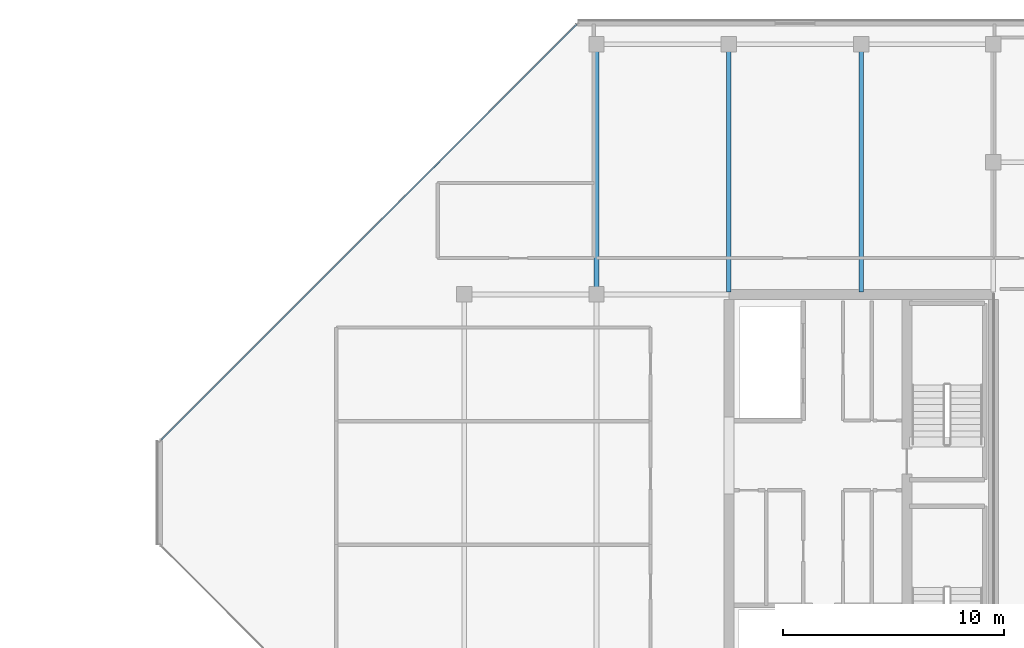
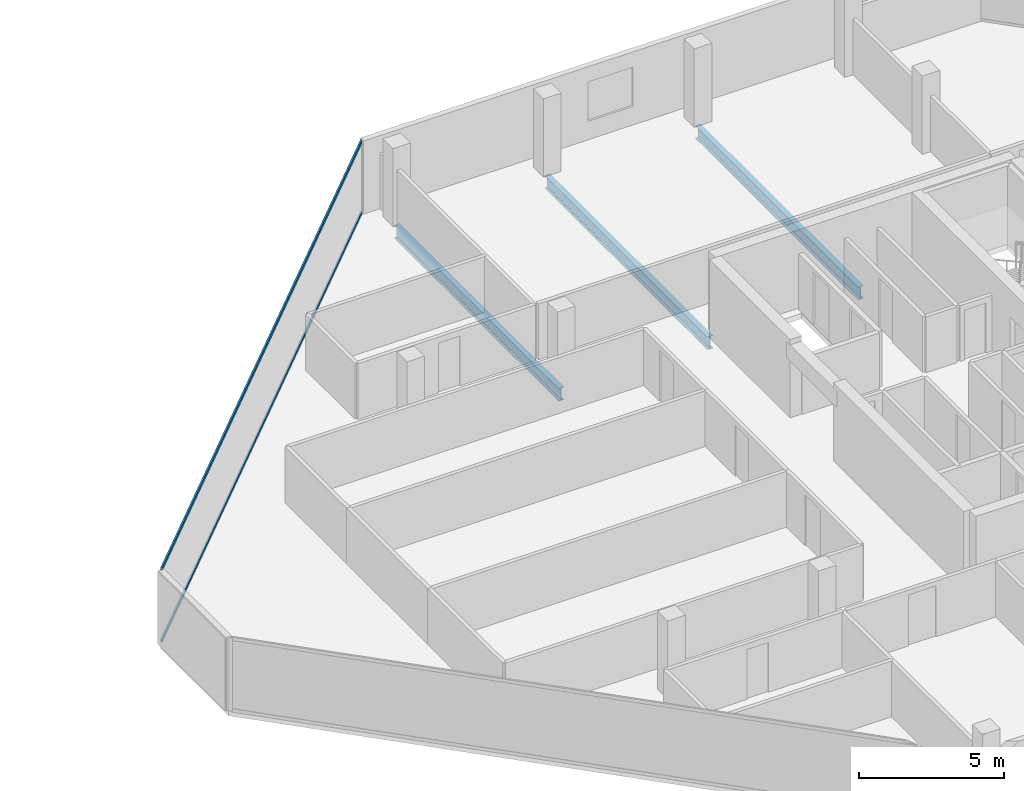
# One storey, part 13 of 29: 3 beams, 2 members, 1 element without a shape of its own.
"""IFC4 building model written with IfcOpenShell, lengths in metres."""

from ifc_helpers import new_model, si_unit, direction, frame, origin, origin_2d, place, context, subcontext, project, spatial, hollow_rectangle, i_section, extrude, material, layer, layer_set, material_profile, profile_set, type_object, element, aggregate, save


model = new_model("IFC4")

# Units and contexts
model_context = context("Model", 3, precision=1e-05, world=origin(), true_north=direction((0.0, 1.0)))
body_context = subcontext(model_context, "Body", "Model", "MODEL_VIEW")
ifc_project = project(units=[si_unit("LENGTHUNIT", "METRE"), si_unit("AREAUNIT", "SQUARE_METRE"), si_unit("VOLUMEUNIT", "CUBIC_METRE"), si_unit("PLANEANGLEUNIT", "RADIAN"), si_unit("MASSUNIT", "GRAM", prefix="KILO")], contexts=[model_context])

# Site, building, storey
site_placement = place(None, origin())
site = spatial("IfcSite", under=ifc_project, at=site_placement, CompositionType="ELEMENT")
building_placement = place(site_placement, origin())
building = spatial("IfcBuilding", under=site, at=building_placement, Name="Tanjung Sevakor Pilgrim Tower", CompositionType="ELEMENT")
storey_placement = place(building_placement, frame((0.0, 0.0, 235.949951171875)))
storey = spatial("IfcBuildingStorey", under=building, at=storey_placement, Name="L66", CompositionType="ELEMENT", Elevation=235.949951171875)

# Beams
ifc_material_1 = material(Name="Steel S355J2", Category="steel")
ifc_material_profile_1 = material_profile(ifc_material_1, i_section(OverallWidth=0.210693359375, OverallDepth=0.53955078125, WebThickness=0.01171875, FlangeThickness=0.018798828125, FilletRadius=0.0126953125, at=origin_2d()))
ifc_profile_set_1 = profile_set([ifc_material_profile_1], Name="Steel S355J2")
beam_type = type_object("IfcBeamType", Name="BM-B-G6-UB_533x210x109", PredefinedType="BEAM", material=ifc_profile_set_1)
beam_placement = place(storey_placement, frame((72.0, 42.60009765625, -0.48974609375), z_axis=(0.0, 1.0, 0.0), x_axis=(-1.0, 0.0, 0.0)))
element("IfcBeam", 1, at=beam_placement, inside=storey, type_object=beam_type, Name="L66 EAST Girder 004", PredefinedType="BEAM", context=body_context, shape_type="SweptSolid", body=[
    extrude(i_section(OverallWidth=0.210693359375, OverallDepth=0.53955078125, WebThickness=0.01171875, FlangeThickness=0.018798828125, FilletRadius=0.0126953125, at=origin_2d()), origin(), (0.0, 0.0, 1.0), 11.349853515625),
])
for number, where, z_axis, x_axis, name in (
    (2, (78.0, 42.7060546875, -0.48974609375), (0.0, 1.0, 0.0), (-1.0, 0.0, 0.0), "L66 EAST Girder 006"),
    (3, (84.0, 42.7060546875, -0.48974609375), (0.0, 1.0, 0.0), (-1.0, 0.0, 0.0), "L66 EAST Girder 008"),
):
    element("IfcBeam", number, at=place(storey_placement, frame(where, z_axis=z_axis, x_axis=x_axis)), inside=storey, type_object=beam_type, Name=name, PredefinedType="BEAM", context=body_context, shape_type="SweptSolid", body=[
        extrude(i_section(OverallWidth=0.210693359375, OverallDepth=0.53955078125, WebThickness=0.01171875, FlangeThickness=0.018798828125, FilletRadius=0.0126953125, at=origin_2d()), origin(), (0.0, 0.0, 1.0), 11.243896484375),
    ])

# Curtain wall, members
ifc_material_2 = material(Name="Aluminium 6063-T6 and Low-E Glass", Category="aluminium")
ifc_layer = layer(ifc_material_2, 0.179931640625)
ifc_layer_set = layer_set([ifc_layer], Name="CW-SYS-CHAM")
curtain_wall_type = type_object("IfcCurtainWallType", Name="CW-SYS-CHAM", PredefinedType="NOTDEFINED", material=ifc_layer_set)
curtain_wall_placement = place(storey_placement, origin())
curtain_wall = element("IfcCurtainWall", 4, at=curtain_wall_placement, inside=storey, type_object=curtain_wall_type, Name="L66 Curtain Wall CW-CHM-L66-EAST-5", PredefinedType="NOTDEFINED")
ifc_material_3 = material(Name="Aluminium 6063-T6", Category="aluminium")
ifc_material_profile_2 = material_profile(ifc_material_3, hollow_rectangle(XDim=0.06494140625, YDim=0.139892578125, WallThickness=0.00390625, at=origin_2d()))
ifc_profile_set_2 = profile_set([ifc_material_profile_2], Name="Aluminium 6063-T6")
member_type = type_object("IfcMemberType", Name="TYPE-CWT-1", PredefinedType="USERDEFINED", material=ifc_profile_set_2)
member_1_placement = place(storey_placement, frame((71.099609375, 54.843994140625, 0.032470703125), z_axis=(-0.707106781187, -0.707106781187, 0.0), x_axis=(0.707106781187, -0.707106781187, 0.0)))
member_1 = element("IfcMember", 5, at=member_1_placement, type_object=member_type, Name="CW-CHM transom 1.1", ObjectType="TRANSOM", PredefinedType="USERDEFINED", context=body_context, shape_type="SweptSolid", body=[
    extrude(hollow_rectangle(XDim=0.06494140625, YDim=0.139892578125, WallThickness=0.00390625, at=origin_2d()), origin(), (0.0, 0.0, 1.0), 26.649169921875),
])
member_2_placement = place(storey_placement, frame((71.099609375, 54.843994140625, 3.047607421875), z_axis=(-0.707106781187, -0.707106781187, 0.0), x_axis=(0.707106781187, -0.707106781187, 0.0)))
member_2 = element("IfcMember", 6, at=member_2_placement, type_object=member_type, Name="CW-CHM transom 1.2", ObjectType="TRANSOM", PredefinedType="USERDEFINED", context=body_context, shape_type="SweptSolid", body=[
    extrude(hollow_rectangle(XDim=0.06494140625, YDim=0.139892578125, WallThickness=0.00390625, at=origin_2d()), origin(), (0.0, 0.0, 1.0), 26.649169921875),
])
aggregate(curtain_wall, [member_1, member_2])

save(model, "model.ifc")
